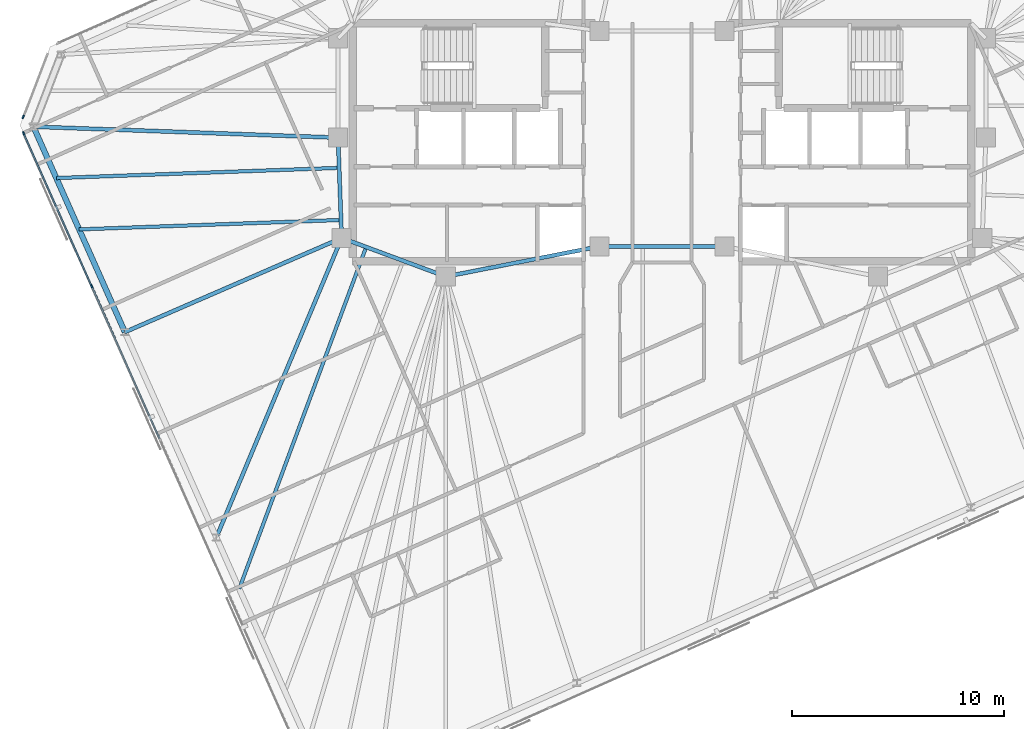
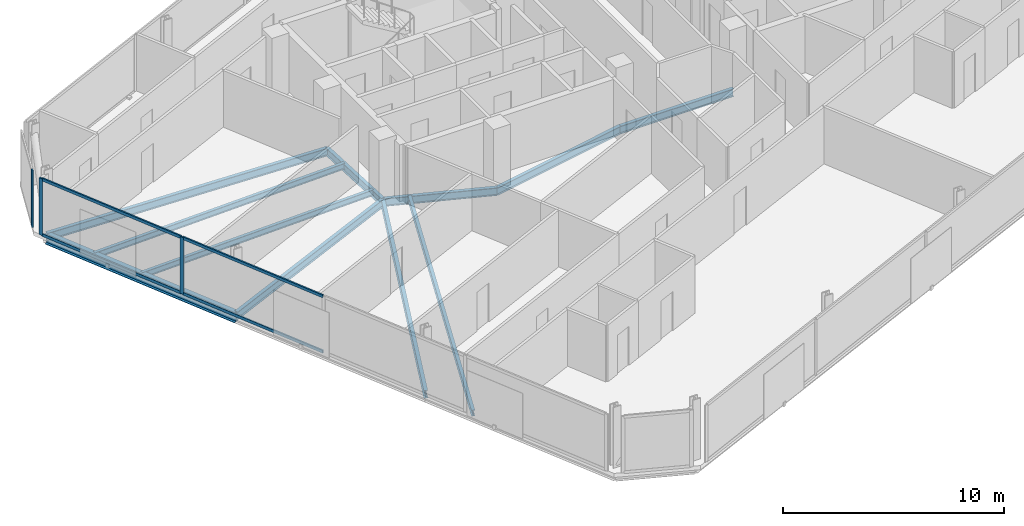
# One storey, part 6 of 18: 11 beams, 7 members, 2 elements without a shape of their own.
"""IFC4 building model written with IfcOpenShell, lengths in metres."""

from ifc_helpers import new_model, si_unit, direction, frame, origin, origin_2d, place, context, subcontext, project, spatial, rectangle, i_section, extrude, material, material_profile, profile_set, type_object, element, aggregate, save


model = new_model("IFC4")

# Units and contexts
model_context = context("Model", 3, precision=1e-05, world=origin(), true_north=direction((0.0, 1.0)))
body_context = subcontext(model_context, "Body", "Model", "MODEL_VIEW")
ifc_project = project(units=[si_unit("LENGTHUNIT", "METRE"), si_unit("AREAUNIT", "SQUARE_METRE"), si_unit("VOLUMEUNIT", "CUBIC_METRE"), si_unit("PLANEANGLEUNIT", "RADIAN"), si_unit("MASSUNIT", "GRAM", prefix="KILO")], contexts=[model_context])

# Site, building, storey
site_placement = place(None, origin())
site = spatial("IfcSite", under=ifc_project, at=site_placement, CompositionType="ELEMENT")
building_placement = place(site_placement, origin())
building = spatial("IfcBuilding", under=site, at=building_placement, Name="Menara Jurai Vektor", CompositionType="ELEMENT")
storey_placement = place(building_placement, frame((0.0, 0.0, 285.25)))
storey = spatial("IfcBuildingStorey", under=building, at=storey_placement, Name="L76", CompositionType="ELEMENT", Elevation=285.25)

# Curtain wall, member
ifc_material_1 = material(Name="Anodised Pale Aluminium & Low-E Double Glazing", Category="aluminium")
curtain_wall_type = type_object("IfcCurtainWallType", Name="CW-BLK5", PredefinedType="NOTDEFINED", material=ifc_material_1)
curtain_wall_1_placement = place(storey_placement, origin())
curtain_wall_1 = element("IfcCurtainWall", 1, at=curtain_wall_1_placement, inside=storey, type_object=curtain_wall_type, Name="Unitised Curtain Wall L76 F06", PredefinedType="NOTDEFINED")
ifc_material_2 = material(Name="Anodised Pale Aluminium Mullion", Category="aluminium")
ifc_material_profile_1 = material_profile(ifc_material_2, rectangle(XDim=0.074951171875, YDim=0.175048828125, at=origin_2d()), Name="ALU MUL 75x175")
ifc_profile_set_1 = profile_set([ifc_material_profile_1], Name="Anodised Pale Aluminium Mullion")
member_type_1 = type_object("IfcMemberType", Name="CW-BLK5-MUL", PredefinedType="MULLION", material=ifc_profile_set_1)
member_1_placement = place(storey_placement, frame((-30.075439453125, 1.197265625, 0.0), z_axis=(0.0, 0.0, 1.0), x_axis=(0.933578193639, -0.358373766287, 0.0)))
member_1 = element("IfcMember", 2, at=member_1_placement, type_object=member_type_1, Name="CW-05 mullion 2", PredefinedType="MULLION", context=body_context, shape_type="SweptSolid", body=[
    extrude(rectangle(XDim=0.074951171875, YDim=0.175048828125, at=origin_2d()), origin(), (0.0, 0.0, 1.0), 3.125),
])
aggregate(curtain_wall_1, [member_1])

# Curtain wall, members
curtain_wall_2_placement = place(storey_placement, origin())
curtain_wall_2 = element("IfcCurtainWall", 3, at=curtain_wall_2_placement, inside=storey, type_object=curtain_wall_type, Name="Unitised Curtain Wall L76 F07", PredefinedType="NOTDEFINED")
member_2_placement = place(storey_placement, frame((-30.055419921875, 0.426025390625, 0.0), z_axis=(0.0, 0.0, 1.0), x_axis=(0.913546127706, 0.406735138086, 0.0)))
member_2 = element("IfcMember", 4, at=member_2_placement, type_object=member_type_1, Name="CW-05 mullion 1", PredefinedType="MULLION", context=body_context, shape_type="SweptSolid", body=[
    extrude(rectangle(XDim=0.074951171875, YDim=0.175048828125, at=origin_2d()), origin(), (0.0, 0.0, 1.0), 3.125),
])
member_3_placement = place(storey_placement, frame((-26.853271484375, -6.765869140625, 0.0), z_axis=(0.0, 0.0, 1.0), x_axis=(0.913546127706, 0.406735138086, 0.0)))
member_3 = element("IfcMember", 5, at=member_3_placement, type_object=member_type_1, Name="CW-05 mullion 2", PredefinedType="MULLION", context=body_context, shape_type="SweptSolid", body=[
    extrude(rectangle(XDim=0.074951171875, YDim=0.175048828125, at=origin_2d()), origin(), (0.0, 0.0, 1.0), 3.125),
])
ifc_material_3 = material(Name="Anodised Pale Aluminium Transom", Category="aluminium")
ifc_material_profile_2 = material_profile(ifc_material_3, rectangle(XDim=0.074951171875, YDim=0.155029296875, at=origin_2d()), Name="ALU TRN 75x155")
ifc_profile_set_2 = profile_set([ifc_material_profile_2], Name="Anodised Pale Aluminium Transom")
member_type_2 = type_object("IfcMemberType", Name="CW-BLK5-TRN", PredefinedType="USERDEFINED", material=ifc_profile_set_2)
member_4_placement = place(storey_placement, frame((-30.0400390625, 0.391845703125, 0.03759765625), z_axis=(0.406713581109, -0.913555725143, 0.0), x_axis=(0.913555725143, 0.406713581109, 0.0)))
member_4 = element("IfcMember", 6, at=member_4_placement, type_object=member_type_2, Name="CW-05 transom 1.1", ObjectType="TRANSOM", PredefinedType="USERDEFINED", context=body_context, shape_type="SweptSolid", body=[
    extrude(rectangle(XDim=0.074951171875, YDim=0.155029296875, at=origin_2d()), origin(), (0.0, 0.0, 1.0), 7.797607421875),
])
member_5_placement = place(storey_placement, frame((-30.0400390625, 0.391845703125, 3.08740234375), z_axis=(0.406713581109, -0.913555725143, 0.0), x_axis=(0.913555725143, 0.406713581109, 0.0)))
member_5 = element("IfcMember", 7, at=member_5_placement, type_object=member_type_2, Name="CW-05 transom 1.2", ObjectType="TRANSOM", PredefinedType="USERDEFINED", context=body_context, shape_type="SweptSolid", body=[
    extrude(rectangle(XDim=0.074951171875, YDim=0.155029296875, at=origin_2d()), origin(), (0.0, 0.0, 1.0), 7.797607421875),
])
member_6_placement = place(storey_placement, frame((-26.838134765625, -6.800048828125, 0.03759765625), z_axis=(0.406731062496, -0.913547942256, 0.0), x_axis=(0.913547942256, 0.406731062496, 0.0)))
member_6 = element("IfcMember", 8, at=member_6_placement, type_object=member_type_2, Name="CW-05 transom 2.1", ObjectType="TRANSOM", PredefinedType="USERDEFINED", context=body_context, shape_type="SweptSolid", body=[
    extrude(rectangle(XDim=0.074951171875, YDim=0.155029296875, at=origin_2d()), origin(), (0.0, 0.0, 1.0), 7.8349609375),
])
member_7_placement = place(storey_placement, frame((-26.838134765625, -6.800048828125, 3.08740234375), z_axis=(0.406731062496, -0.913547942256, 0.0), x_axis=(0.913547942256, 0.406731062496, 0.0)))
member_7 = element("IfcMember", 9, at=member_7_placement, type_object=member_type_2, Name="CW-05 transom 2.2", ObjectType="TRANSOM", PredefinedType="USERDEFINED", context=body_context, shape_type="SweptSolid", body=[
    extrude(rectangle(XDim=0.074951171875, YDim=0.155029296875, at=origin_2d()), origin(), (0.0, 0.0, 1.0), 7.8349609375),
])
aggregate(curtain_wall_2, [member_2, member_3, member_4, member_5, member_6, member_7])

# Beams
ifc_material_4 = material(Name="Steel S355", Category="steel")
ifc_material_profile_3 = material_profile(ifc_material_4, i_section(OverallWidth=0.18505859375, OverallDepth=0.429931640625, WebThickness=0.010986328125, FlangeThickness=0.01806640625, at=origin_2d()), Name="PG 430x185x76")
ifc_profile_set_3 = profile_set([ifc_material_profile_3], Name="Steel S355")
beam_type_1 = type_object("IfcBeamType", Name="STR-BM-430", PredefinedType="BEAM", material=ifc_profile_set_3)
beam_1_placement = place(storey_placement, frame((-15.080078125, -4.5, -0.43994140625), z_axis=(-0.035977314146, 0.999352606874, 0.0), x_axis=(-0.999352606874, -0.035977314146, 0.0)))
element("IfcBeam", 10, at=beam_1_placement, inside=storey, type_object=beam_type_1, Name="Core Ring Header Girder L76-CHW-W2", PredefinedType="BEAM", context=body_context, shape_type="SweptSolid", body=[
    extrude(i_section(OverallWidth=0.18505859375, OverallDepth=0.429931640625, WebThickness=0.010986328125, FlangeThickness=0.01806640625, at=origin_2d()), origin(), (0.0, 0.0, 1.0), 4.72314453125),
])
beam_2_placement = place(storey_placement, frame((-15.080078125, -4.5, -0.43994140625), z_axis=(0.937424400887, -0.348188874925, 0.0), x_axis=(0.348188874925, 0.937424400887, 0.0)))
element("IfcBeam", 11, at=beam_2_placement, inside=storey, type_object=beam_type_1, Name="Core Ring Header Girder L76-CHW-S1", PredefinedType="BEAM", context=body_context, shape_type="SweptSolid", body=[
    extrude(i_section(OverallWidth=0.18505859375, OverallDepth=0.429931640625, WebThickness=0.010986328125, FlangeThickness=0.01806640625, at=origin_2d()), origin(), (0.0, 0.0, 1.0), 5.227294921875),
])
beam_3_placement = place(storey_placement, frame((-10.179931640625, -6.320068359375, -0.43994140625), z_axis=(0.981249044334, 0.192744164614, 0.0), x_axis=(-0.192744164614, 0.981249044334, 0.0)))
element("IfcBeam", 12, at=beam_3_placement, inside=storey, type_object=beam_type_1, Name="Core Ring Header Girder L76-CHW-S2", PredefinedType="BEAM", context=body_context, shape_type="SweptSolid", body=[
    extrude(i_section(OverallWidth=0.18505859375, OverallDepth=0.429931640625, WebThickness=0.010986328125, FlangeThickness=0.01806640625, at=origin_2d()), origin(), (0.0, 0.0, 1.0), 7.3681640625),
])
beam_4_placement = place(storey_placement, frame((-2.949951171875, -4.89990234375, -0.43994140625), z_axis=(1.0, 0.0, 0.0), x_axis=(0.0, 1.0, 0.0)))
element("IfcBeam", 13, at=beam_4_placement, inside=storey, type_object=beam_type_1, Name="Core Ring Header Girder L76-CC-1", PredefinedType="BEAM", context=body_context, shape_type="SweptSolid", body=[
    extrude(i_section(OverallWidth=0.18505859375, OverallDepth=0.429931640625, WebThickness=0.010986328125, FlangeThickness=0.01806640625, at=origin_2d()), origin(), (0.0, 0.0, 1.0), 5.89990234375),
])
beam_5_placement = place(storey_placement, frame((-29.591796875, 0.73681640625, -0.43994140625), z_axis=(0.999351273077, -0.03601434436, 0.0), x_axis=(0.03601434436, 0.999351273077, 0.0)))
element("IfcBeam", 14, at=beam_5_placement, inside=storey, type_object=beam_type_1, Name="Radial Floor Girder L76-W1", PredefinedType="BEAM", context=body_context, shape_type="SweptSolid", body=[
    extrude(i_section(OverallWidth=0.18505859375, OverallDepth=0.429931640625, WebThickness=0.010986328125, FlangeThickness=0.01806640625, at=origin_2d()), origin(), (0.0, 0.0, 1.0), 14.35107421875),
])
beam_6_placement = place(storey_placement, frame((-25.286376953125, -8.933349609375, -0.43994140625), z_axis=(0.917207084259, 0.398410798781, 0.0), x_axis=(-0.398410798781, 0.917207084259, 0.0)))
element("IfcBeam", 15, at=beam_6_placement, inside=storey, type_object=beam_type_1, Name="Radial Floor Girder L76-W2", PredefinedType="BEAM", context=body_context, shape_type="SweptSolid", body=[
    extrude(i_section(OverallWidth=0.18505859375, OverallDepth=0.429931640625, WebThickness=0.010986328125, FlangeThickness=0.01806640625, at=origin_2d()), origin(), (0.0, 0.0, 1.0), 11.127685546875),
])
beam_7_placement = place(storey_placement, frame((-20.98095703125, -18.603271484375, -0.43994140625), z_axis=(0.38598134247, 0.922506587112, 0.0), x_axis=(-0.922506587112, 0.38598134247, 0.0)))
element("IfcBeam", 16, at=beam_7_placement, inside=storey, type_object=beam_type_1, Name="Radial Floor Girder L76-W3", PredefinedType="BEAM", context=body_context, shape_type="SweptSolid", body=[
    extrude(i_section(OverallWidth=0.18505859375, OverallDepth=0.429931640625, WebThickness=0.010986328125, FlangeThickness=0.01806640625, at=origin_2d()), origin(), (0.0, 0.0, 1.0), 15.2880859375),
])
ifc_material_profile_4 = material_profile(ifc_material_4, i_section(OverallWidth=0.1650390625, OverallDepth=0.330078125, WebThickness=0.009033203125, FlangeThickness=0.013916015625, at=origin_2d()), Name="PG 330x165x46")
ifc_profile_set_4 = profile_set([ifc_material_profile_4], Name="Steel S355")
beam_type_2 = type_object("IfcBeamType", Name="STR-JS-330", PredefinedType="JOIST", material=ifc_profile_set_4)
beam_8_placement = place(storey_placement, frame((-28.515380859375, -1.6806640625, -0.389892578125), z_axis=(0.999352378837, 0.035983647851, 0.0), x_axis=(-0.035983647851, 0.999352378837, 0.0)))
element("IfcBeam", 17, at=beam_8_placement, inside=storey, type_object=beam_type_2, Name="Radial Secondary Floor Joist L76-JS26", PredefinedType="JOIST", context=body_context, shape_type="SweptSolid", body=[
    extrude(i_section(OverallWidth=0.1650390625, OverallDepth=0.330078125, WebThickness=0.009033203125, FlangeThickness=0.013916015625, at=origin_2d()), origin(), (0.0, 0.0, 1.0), 13.3251953125),
])
beam_9_placement = place(storey_placement, frame((-27.43896484375, -4.09814453125, -0.389892578125), z_axis=(0.999352552329, 0.03597882924, 0.0), x_axis=(-0.03597882924, 0.999352552329, 0.0)))
element("IfcBeam", 18, at=beam_9_placement, inside=storey, type_object=beam_type_2, Name="Radial Secondary Floor Joist L76-JS27", PredefinedType="JOIST", context=body_context, shape_type="SweptSolid", body=[
    extrude(i_section(OverallWidth=0.1650390625, OverallDepth=0.330078125, WebThickness=0.009033203125, FlangeThickness=0.013916015625, at=origin_2d()), origin(), (0.0, 0.0, 1.0), 12.33642578125),
])
beam_10_placement = place(storey_placement, frame((-19.904541015625, -21.020751953125, -0.389892578125), z_axis=(0.348190100331, 0.937423945732, 0.0), x_axis=(-0.937423945732, 0.348190100331, 0.0)))
element("IfcBeam", 19, at=beam_10_placement, inside=storey, type_object=beam_type_2, Name="Radial Secondary Floor Joist L76-JS28", PredefinedType="JOIST", context=body_context, shape_type="SweptSolid", body=[
    extrude(i_section(OverallWidth=0.1650390625, OverallDepth=0.330078125, WebThickness=0.009033203125, FlangeThickness=0.013916015625, at=origin_2d()), origin(), (0.0, 0.0, 1.0), 17.166748046875),
])
ifc_material_profile_5 = material_profile(ifc_material_4, i_section(OverallWidth=0.260009765625, OverallDepth=0.570068359375, WebThickness=0.013916015625, FlangeThickness=0.02392578125, at=origin_2d()), Name="PG 570x260x145")
ifc_profile_set_5 = profile_set([ifc_material_profile_5], Name="Steel S355")
beam_type_3 = type_object("IfcBeamType", Name="STR-SP-570", PredefinedType="SPANDREL", material=ifc_profile_set_5)
beam_11_placement = place(storey_placement, frame((-29.591796875, 0.73681640625, -0.510009765625), z_axis=(0.40673543049, -0.91354599752, 0.0), x_axis=(0.91354599752, 0.40673543049, 0.0)))
element("IfcBeam", 20, at=beam_11_placement, inside=storey, type_object=beam_type_3, Name="Exoskeleton Spandrel Beam L76-17", PredefinedType="SPANDREL", context=body_context, shape_type="SweptSolid", body=[
    extrude(i_section(OverallWidth=0.260009765625, OverallDepth=0.570068359375, WebThickness=0.013916015625, FlangeThickness=0.02392578125, at=origin_2d()), origin(), (0.0, 0.0, 1.0), 10.585205078125),
])

save(model, "model.ifc")
